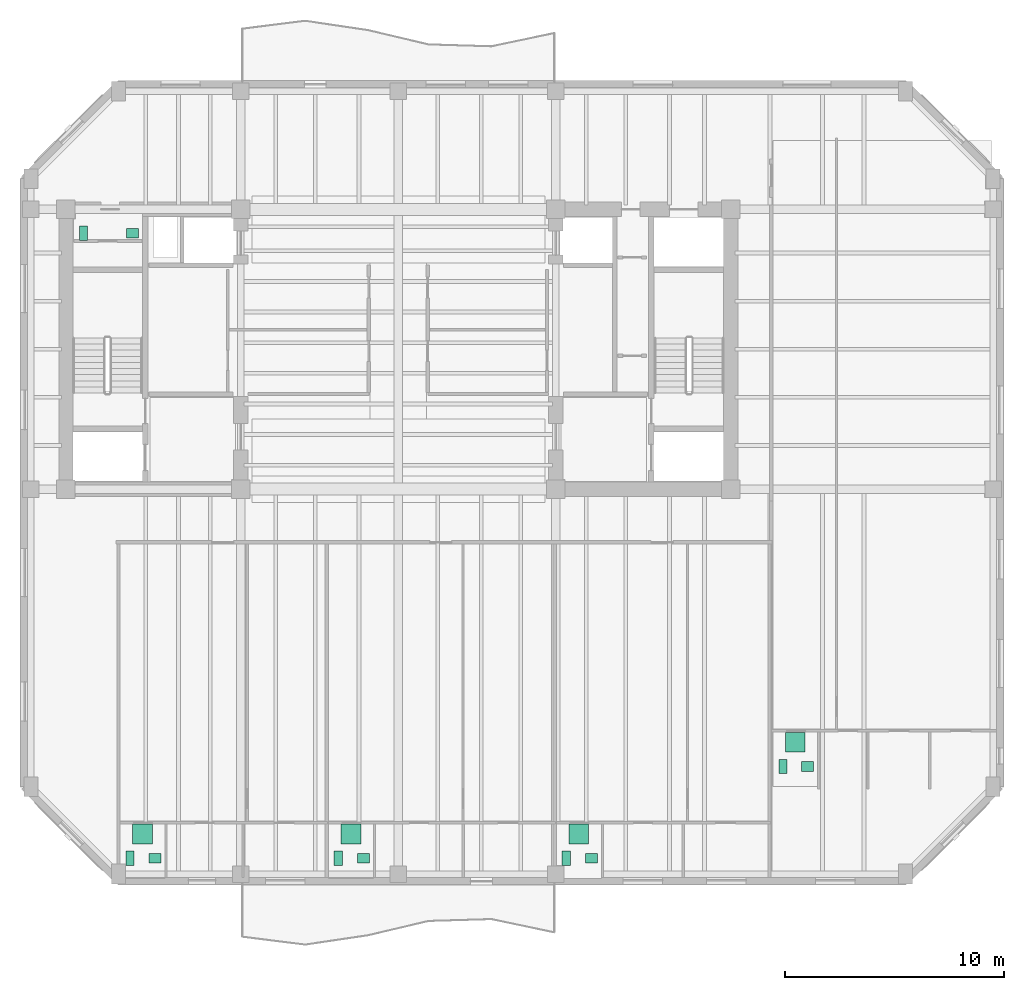
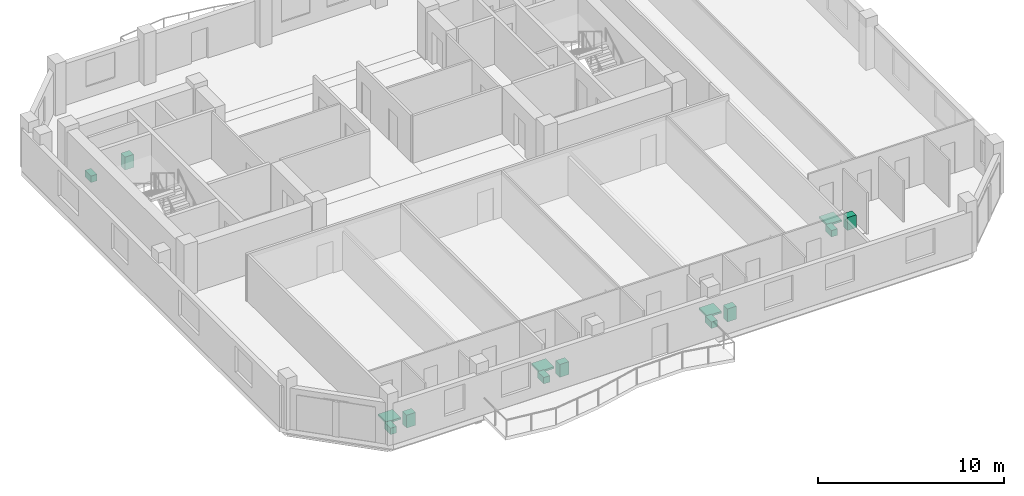
# One storey, part 10 of 10: 14 sanitary terminals.
"""IFC4 building model written with IfcOpenShell, lengths in metres."""

from ifc_helpers import new_model, si_unit, direction, frame, origin, origin_2d, place, context, subcontext, project, spatial, rectangle, extrude, material, type_object, element, save


model = new_model("IFC4")

# Units and contexts
model_context = context("Model", 3, precision=1e-05, world=origin(), true_north=direction((0.0, 1.0)))
body_context = subcontext(model_context, "Body", "Model", "MODEL_VIEW")
ifc_project = project(units=[si_unit("LENGTHUNIT", "METRE"), si_unit("AREAUNIT", "SQUARE_METRE"), si_unit("VOLUMEUNIT", "CUBIC_METRE"), si_unit("PLANEANGLEUNIT", "RADIAN"), si_unit("MASSUNIT", "GRAM", prefix="KILO")], contexts=[model_context])

# Site, building, storey
site_placement = place(None, origin())
site = spatial("IfcSite", under=ifc_project, at=site_placement, CompositionType="ELEMENT")
building_placement = place(site_placement, origin())
building = spatial("IfcBuilding", under=site, at=building_placement, Name="Kranthara Brick Stack", CompositionType="ELEMENT")
storey_placement = place(building_placement, frame((0.0, 0.0, 234.699951171875)))
storey = spatial("IfcBuildingStorey", under=building, at=storey_placement, Name="L61", CompositionType="ELEMENT", Elevation=234.699951171875)

# Sanitary terminals
ifc_material_1 = material(Name="Vitreous china sanitary porcelain", Category="other")
sanitary_terminal_type_1 = type_object("IfcSanitaryTerminalType", Name="SAN-BASIN", PredefinedType="WASHHANDBASIN", material=ifc_material_1)
for number, where, z_axis, x_axis, name in (
    (1, (15.85009765625, 32.5048828125, 0.0), (0.0, 0.0, 1.0), (1.0, 0.0, 0.0), "L61 Washbasin 328"),
    (2, (16.8798828125, 3.925048828125, 0.0), (0.0, 0.0, 1.0), (1.0, 0.0, 0.0), "L61 Washbasin 329"),
    (3, (26.409912109375, 3.925048828125, 0.0), (0.0, 0.0, 1.0), (1.0, 0.0, 0.0), "L61 Washbasin 330"),
    (4, (36.8330078125, 3.925048828125, 0.0), (0.0, 0.0, 1.0), (1.0, 0.0, 0.0), "L61 Washbasin 331"),
    (5, (46.72412109375, 8.125, 0.0), (0.0, 0.0, 1.0), (1.0, 0.0, 0.0), "L61 Washbasin 332"),
):
    element("IfcSanitaryTerminal", number, at=place(storey_placement, frame(where, z_axis=z_axis, x_axis=x_axis)), inside=storey, type_object=sanitary_terminal_type_1, Name=name, PredefinedType="WASHHANDBASIN", context=body_context, shape_type="SweptSolid", body=[
        extrude(rectangle(XDim=0.550048828125, YDim=0.449951171875, at=origin_2d()), origin(), (0.0, 0.0, 1.0), 0.85009765625),
    ])
ifc_material_2 = material(Name="Acrylic and porcelain shower tray", Category="other")
sanitary_terminal_type_2 = type_object("IfcSanitaryTerminalType", Name="SAN-SHOWER", PredefinedType="SHOWER", material=ifc_material_2)
for number, where, z_axis, x_axis, name in (
    (6, (16.304931640625, 5.030029296875, 0.0), (0.0, 0.0, 1.0), (1.0, 0.0, 0.0), "L61 Shower Tray 329"),
    (7, (25.8349609375, 5.030029296875, 0.0), (0.0, 0.0, 1.0), (1.0, 0.0, 0.0), "L61 Shower Tray 330"),
    (8, (36.258056640625, 5.030029296875, 0.0), (0.0, 0.0, 1.0), (1.0, 0.0, 0.0), "L61 Shower Tray 331"),
    (9, (46.156982421875, 9.22998046875, 0.0), (0.0, 0.0, 1.0), (1.0, 0.0, 0.0), "L61 Shower Tray 332"),
):
    element("IfcSanitaryTerminal", number, at=place(storey_placement, frame(where, z_axis=z_axis, x_axis=x_axis)), inside=storey, type_object=sanitary_terminal_type_2, Name=name, PredefinedType="SHOWER", context=body_context, shape_type="SweptSolid", body=[
        extrude(rectangle(XDim=0.89990234375, YDim=0.89990234375, at=origin_2d()), origin(), (0.0, 0.0, 1.0), 0.1201171875),
    ])
ifc_material_3 = material(Name="Vitreous china sanitary porcelain", Category="other")
sanitary_terminal_type_3 = type_object("IfcSanitaryTerminalType", Name="SAN-WC-PAN", PredefinedType="TOILETPAN", material=ifc_material_3)
for number, where, z_axis, x_axis, name in (
    (10, (13.60009765625, 32.5048828125, 0.0), (0.0, 0.0, 1.0), (1.0, 0.0, 0.0), "L61 WC Pan 328"),
    (11, (15.72998046875, 3.925048828125, 0.0), (0.0, 0.0, 1.0), (1.0, 0.0, 0.0), "L61 WC Pan 329"),
    (12, (25.260009765625, 3.925048828125, 0.0), (0.0, 0.0, 1.0), (1.0, 0.0, 0.0), "L61 WC Pan 330"),
    (13, (35.68310546875, 3.925048828125, 0.0), (0.0, 0.0, 1.0), (1.0, 0.0, 0.0), "L61 WC Pan 331"),
    (14, (45.590087890625, 8.125, 0.0), (0.0, 0.0, 1.0), (1.0, 0.0, 0.0), "L61 WC Pan 332"),
):
    element("IfcSanitaryTerminal", number, at=place(storey_placement, frame(where, z_axis=z_axis, x_axis=x_axis)), inside=storey, type_object=sanitary_terminal_type_3, Name=name, PredefinedType="TOILETPAN", context=body_context, shape_type="SweptSolid", body=[
        extrude(rectangle(XDim=0.3798828125, YDim=0.64990234375, at=origin_2d()), origin(), (0.0, 0.0, 1.0), 0.419921875),
    ])

save(model, "model.ifc")
